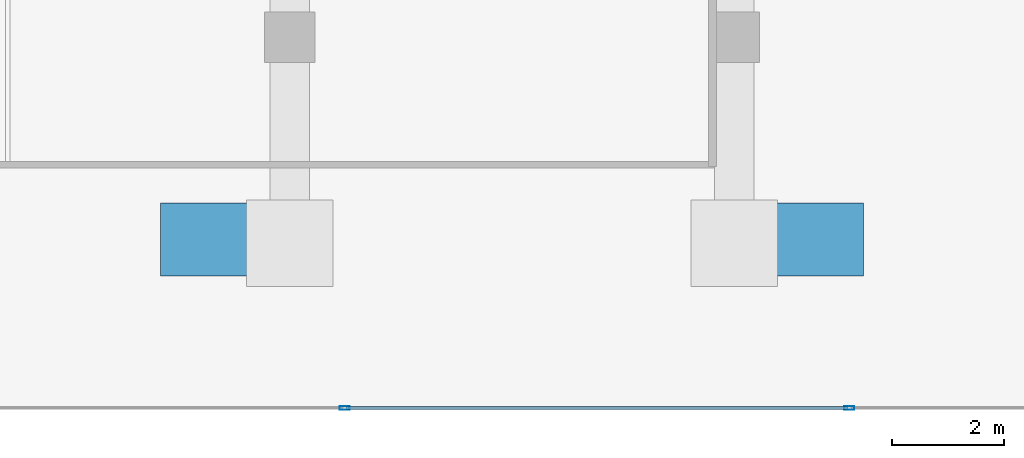
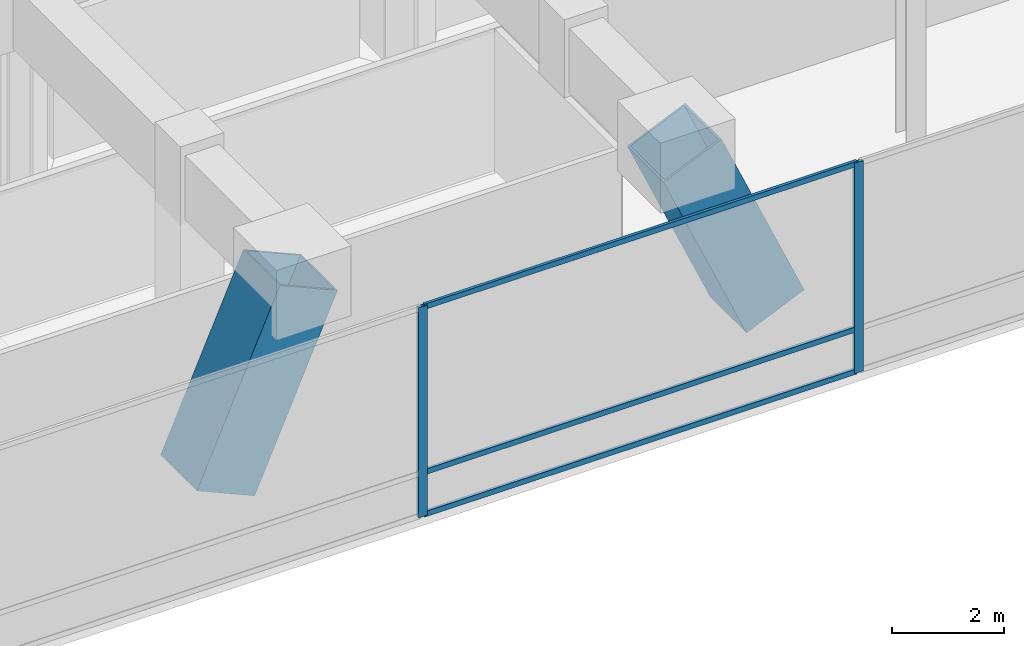
# One storey, part 8 of 45: 7 members, 1 element without a shape of its own.
"""IFC4 building model written with IfcOpenShell, lengths in metres."""

from ifc_helpers import new_model, si_unit, direction, frame, origin, origin_2d, place, context, subcontext, project, spatial, hollow_rectangle, extrude, material, layer, layer_set, material_profile, profile_set, type_object, element, aggregate, save


model = new_model("IFC4")

# Units and contexts
model_context = context("Model", 3, precision=1e-05, world=origin(), true_north=direction((0.0, 1.0)))
body_context = subcontext(model_context, "Body", "Model", "MODEL_VIEW")
ifc_project = project(units=[si_unit("LENGTHUNIT", "METRE"), si_unit("AREAUNIT", "SQUARE_METRE"), si_unit("VOLUMEUNIT", "CUBIC_METRE"), si_unit("PLANEANGLEUNIT", "RADIAN"), si_unit("MASSUNIT", "GRAM", prefix="KILO")], contexts=[model_context])

# Site, building, storey
site_placement = place(None, origin())
site = spatial("IfcSite", under=ifc_project, at=site_placement, CompositionType="ELEMENT")
building_placement = place(site_placement, origin())
building = spatial("IfcBuilding", under=site, at=building_placement, Name="Qianvela Tower", CompositionType="ELEMENT")
storey_placement = place(building_placement, frame((0.0, 0.0, 11.0)))
storey = spatial("IfcBuildingStorey", under=building, at=storey_placement, Name="L02", CompositionType="ELEMENT", Elevation=11.0)

# Curtain wall, members
ifc_material_1 = material(Name="Anodised Architectural Aluminium and Low-E Glass", Category="aluminium")
ifc_layer = layer(ifc_material_1, 0.179931640625)
ifc_layer_set = layer_set([ifc_layer], Name="Anodised Architectural Aluminium and Low-E Glass")
curtain_wall_type = type_object("IfcCurtainWallType", Name="CW-COMMONS", PredefinedType="USERDEFINED", material=ifc_layer_set)
curtain_wall_placement = place(storey_placement, origin())
curtain_wall = element("IfcCurtainWall", 1, at=curtain_wall_placement, inside=storey, type_object=curtain_wall_type, Name="L02 CW-COMMONS Curtain Wall 01", ObjectType="CURTAIN_WALL_SYSTEM", PredefinedType="USERDEFINED")
ifc_material_2 = material(Name="Anodised Architectural Aluminium 6063-T6", Category="aluminium")
ifc_material_profile_1 = material_profile(ifc_material_2, hollow_rectangle(XDim=0.070068359375, YDim=0.179931640625, WallThickness=0.0048828125, at=origin_2d()), Name="ALU-MULL-70x180")
ifc_profile_set_1 = profile_set([ifc_material_profile_1], Name="Anodised Architectural Aluminium 6063-T6")
member_type_1 = type_object("IfcMemberType", Name="CW-COMMONS-MULL", PredefinedType="MULLION", material=ifc_profile_set_1)
member_1_placement = place(storey_placement, frame((24.021484375, 1.5, 0.0), z_axis=(0.0, 0.0, 1.0), x_axis=(0.0, 1.0, 0.0)))
member_1 = element("IfcMember", 2, at=member_1_placement, type_object=member_type_1, Name="CW-2 mullion 3", PredefinedType="MULLION", context=body_context, shape_type="SweptSolid", body=[
    extrude(hollow_rectangle(XDim=0.070068359375, YDim=0.179931640625, WallThickness=0.0048828125, at=origin_2d()), origin(), (0.0, 0.0, 1.0), 4.580078125),
])
member_2_placement = place(storey_placement, frame((33.007080078125, 1.5, 0.0), z_axis=(0.0, 0.0, 1.0), x_axis=(0.0, 1.0, 0.0)))
member_2 = element("IfcMember", 3, at=member_2_placement, type_object=member_type_1, Name="CW-2 mullion 4", PredefinedType="MULLION", context=body_context, shape_type="SweptSolid", body=[
    extrude(hollow_rectangle(XDim=0.070068359375, YDim=0.179931640625, WallThickness=0.0048828125, at=origin_2d()), origin(), (0.0, 0.0, 1.0), 4.580078125),
])
ifc_material_3 = material(Name="Anodised Architectural Aluminium 6063-T6", Category="aluminium")
ifc_material_profile_2 = material_profile(ifc_material_3, hollow_rectangle(XDim=0.06005859375, YDim=0.114990234375, WallThickness=0.00390625, at=origin_2d()), Name="ALU-TRAN-60x115")
ifc_profile_set_2 = profile_set([ifc_material_profile_2], Name="Anodised Architectural Aluminium 6063-T6")
member_type_2 = type_object("IfcMemberType", Name="CW-COMMONS-TRAN", PredefinedType="USERDEFINED", material=ifc_profile_set_2)
member_3_placement = place(storey_placement, frame((24.056396484375, 1.5, 0.030029296875), z_axis=(1.0, 0.0, 0.0), x_axis=(0.0, 1.0, 0.0)))
member_3 = element("IfcMember", 4, at=member_3_placement, type_object=member_type_2, Name="CW-2 transom 3.1", ObjectType="TRANSOM", PredefinedType="USERDEFINED", context=body_context, shape_type="SweptSolid", body=[
    extrude(hollow_rectangle(XDim=0.06005859375, YDim=0.114990234375, WallThickness=0.00390625, at=origin_2d()), origin(), (0.0, 0.0, 1.0), 8.915771484375),
])
member_4_placement = place(storey_placement, frame((24.056396484375, 1.5, 0.949951171875), z_axis=(1.0, 0.0, 0.0), x_axis=(0.0, 1.0, 0.0)))
member_4 = element("IfcMember", 5, at=member_4_placement, type_object=member_type_2, Name="CW-2 transom 3.2", ObjectType="TRANSOM", PredefinedType="USERDEFINED", context=body_context, shape_type="SweptSolid", body=[
    extrude(hollow_rectangle(XDim=0.06005859375, YDim=0.114990234375, WallThickness=0.00390625, at=origin_2d()), origin(), (0.0, 0.0, 1.0), 8.915771484375),
])
member_5_placement = place(storey_placement, frame((24.056396484375, 1.5, 4.550048828125), z_axis=(1.0, 0.0, 0.0), x_axis=(0.0, 1.0, 0.0)))
member_5 = element("IfcMember", 6, at=member_5_placement, type_object=member_type_2, Name="CW-2 transom 3.3", ObjectType="TRANSOM", PredefinedType="USERDEFINED", context=body_context, shape_type="SweptSolid", body=[
    extrude(hollow_rectangle(XDim=0.06005859375, YDim=0.114990234375, WallThickness=0.00390625, at=origin_2d()), origin(), (0.0, 0.0, 1.0), 8.915771484375),
])
aggregate(curtain_wall, [member_1, member_2, member_3, member_4, member_5])

# Members
ifc_material_4 = material(Name="Steel Q420GJC", Category="steel")
ifc_material_profile_3 = material_profile(ifc_material_4, hollow_rectangle(XDim=1.300048828125, YDim=1.300048828125, WallThickness=0.044921875, at=origin_2d()), Name="VBOX-1300x1300x45")
ifc_profile_set_3 = profile_set([ifc_material_profile_3], Name="Steel Q420GJC")
member_type_3 = type_object("IfcMemberType", Name="MBR-VCOL-1300", PredefinedType="POST", material=ifc_profile_set_3)
for number, where, z_axis, x_axis, name in (
    (7, (21.338623046875, 4.5, 0.0), (0.402692265556, 0.0, 0.915335424455), (0.0, 1.0, 0.0), "L02 Concourse Inclined V-Column VC-S1 Leg R"),
    (8, (32.661376953125, 4.5, 0.0), (-0.402692265556, 0.0, 0.915335424455), (0.0, -1.0, 0.0), "L02 Concourse Inclined V-Column VC-S2 Leg L"),
):
    element("IfcMember", number, at=place(storey_placement, frame(where, z_axis=z_axis, x_axis=x_axis)), inside=storey, type_object=member_type_3, Name=name, PredefinedType="POST", context=body_context, shape_type="SweptSolid", body=[
        extrude(hollow_rectangle(XDim=1.300048828125, YDim=1.300048828125, WallThickness=0.044921875, at=origin_2d()), origin(), (0.0, 0.0, 1.0), 4.236572265625),
    ])

save(model, "model.ifc")
